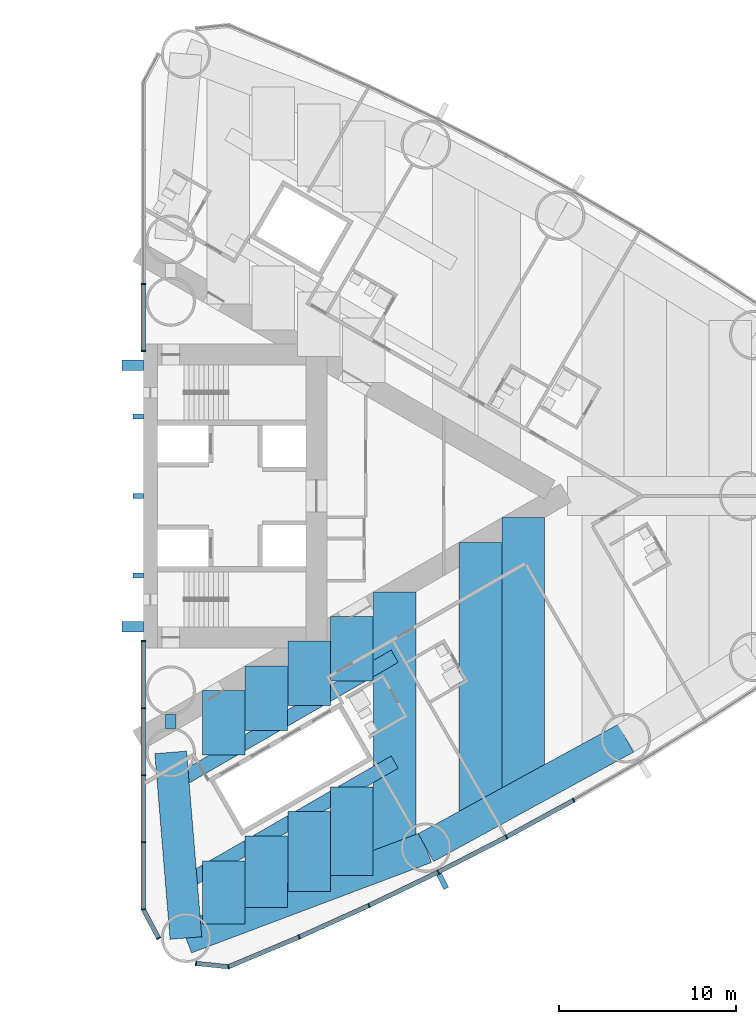
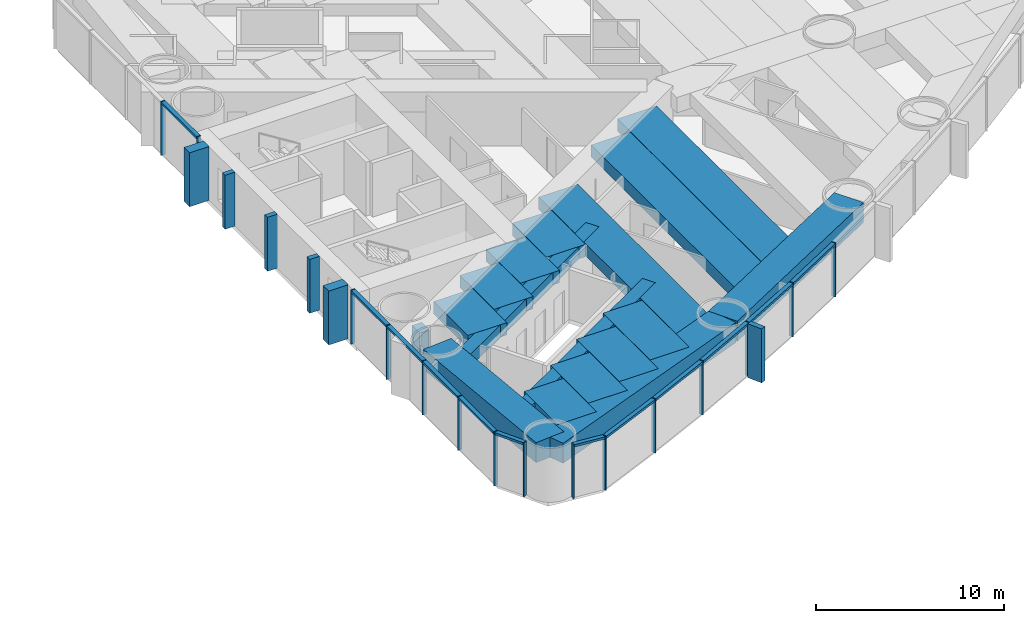
# One storey, part 6 of 18: 33 members, 17 beams, 3 elements without a shape of their own.
"""IFC4 building model written with IfcOpenShell, lengths in metres."""

from ifc_helpers import new_model, si_unit, direction, frame, origin, origin_2d, place, context, subcontext, project, spatial, rectangle, hollow_rectangle, extrude, material, material_profile, profile_set, type_object, element, aggregate, save


model = new_model("IFC4")

# Units and contexts
model_context = context("Model", 3, precision=1e-05, world=origin(), true_north=direction((0.0, 1.0)))
body_context = subcontext(model_context, "Body", "Model", "MODEL_VIEW")
ifc_project = project(units=[si_unit("LENGTHUNIT", "METRE"), si_unit("AREAUNIT", "SQUARE_METRE"), si_unit("VOLUMEUNIT", "CUBIC_METRE"), si_unit("PLANEANGLEUNIT", "RADIAN"), si_unit("MASSUNIT", "GRAM", prefix="KILO")], contexts=[model_context])

# Site, building, storey
site_placement = place(None, origin())
site = spatial("IfcSite", under=ifc_project, at=site_placement, CompositionType="ELEMENT")
building_placement = place(site_placement, origin())
building = spatial("IfcBuilding", under=site, at=building_placement, Name="Lancet Gate Hotel", CompositionType="ELEMENT")
storey_placement = place(building_placement, frame((0.0, 0.0, 56.5)))
storey = spatial("IfcBuildingStorey", under=building, at=storey_placement, Name="L14", CompositionType="ELEMENT", Elevation=56.5)

# Curtain wall, members
ifc_material_1 = material(Name="Aluminium curtain wall", Category="aluminium")
curtain_wall_type = type_object("IfcCurtainWallType", Name="Tower unitised curtain wall", PredefinedType="USERDEFINED", material=ifc_material_1)
curtain_wall_1_placement = place(storey_placement, origin())
curtain_wall_1 = element("IfcCurtainWall", 1, at=curtain_wall_1_placement, inside=storey, type_object=curtain_wall_type, Name="T2 L14 curtain wall 1", ObjectType="UNITISED CURTAIN WALL", PredefinedType="USERDEFINED")
ifc_material_2 = material(Name="Aluminium mullion", Category="aluminium")
ifc_material_profile_1 = material_profile(ifc_material_2, rectangle(XDim=0.06494140625, YDim=0.25, at=origin_2d()), Name="MULLION 65x250")
ifc_profile_set_1 = profile_set([ifc_material_profile_1], Name="Aluminium mullion")
member_type_1 = type_object("IfcMemberType", Name="Aluminium mullion 65x250", PredefinedType="MULLION", material=ifc_profile_set_1)
member_1_placement = place(storey_placement, frame((27.5, -8.199951171875, 0.0), z_axis=(0.0, 0.0, 1.0), x_axis=(0.0, -1.0, 0.0)))
member_1 = element("IfcMember", 2, at=member_1_placement, type_object=member_type_1, Name="T2 L14 curtain wall 1 mullion 1", PredefinedType="MULLION", context=body_context, shape_type="SweptSolid", body=[
    extrude(rectangle(XDim=0.06494140625, YDim=0.25, at=origin_2d()), origin(), (0.0, 0.0, 1.0), 3.5),
])
member_2_placement = place(storey_placement, frame((27.5, -11.99609375, 0.0), z_axis=(0.0, 0.0, 1.0), x_axis=(0.0, -1.0, 0.0)))
member_2 = element("IfcMember", 3, at=member_2_placement, type_object=member_type_1, Name="T2 L14 curtain wall 1 mullion 2", PredefinedType="MULLION", context=body_context, shape_type="SweptSolid", body=[
    extrude(rectangle(XDim=0.06494140625, YDim=0.25, at=origin_2d()), origin(), (0.0, 0.0, 1.0), 3.5),
])
member_3_placement = place(storey_placement, frame((27.5, -15.79248046875, 0.0), z_axis=(0.0, 0.0, 1.0), x_axis=(0.0, -1.0, 0.0)))
member_3 = element("IfcMember", 4, at=member_3_placement, type_object=member_type_1, Name="T2 L14 curtain wall 1 mullion 3", PredefinedType="MULLION", context=body_context, shape_type="SweptSolid", body=[
    extrude(rectangle(XDim=0.06494140625, YDim=0.25, at=origin_2d()), origin(), (0.0, 0.0, 1.0), 3.5),
])
member_4_placement = place(storey_placement, frame((27.5, -19.588623046875, 0.0), z_axis=(0.0, 0.0, 1.0), x_axis=(0.0, -1.0, 0.0)))
member_4 = element("IfcMember", 5, at=member_4_placement, type_object=member_type_1, Name="T2 L14 curtain wall 1 mullion 4", PredefinedType="MULLION", context=body_context, shape_type="SweptSolid", body=[
    extrude(rectangle(XDim=0.06494140625, YDim=0.25, at=origin_2d()), origin(), (0.0, 0.0, 1.0), 3.5),
])
member_5_placement = place(storey_placement, frame((27.5, -23.384765625, 0.0), z_axis=(0.0, 0.0, 1.0), x_axis=(0.157751691459, -0.987478811844, 0.0)))
member_5 = element("IfcMember", 6, at=member_5_placement, type_object=member_type_1, Name="T2 L14 curtain wall 1 mullion 5", PredefinedType="MULLION", context=body_context, shape_type="SweptSolid", body=[
    extrude(rectangle(XDim=0.06494140625, YDim=0.25, at=origin_2d()), origin(), (0.0, 0.0, 1.0), 3.5),
])
member_6_placement = place(storey_placement, frame((28.366455078125, -25.012451171875, 0.0), z_axis=(0.0, 0.0, 1.0), x_axis=(0.469897827284, -0.882720811987, 0.0)))
member_6 = element("IfcMember", 7, at=member_6_placement, type_object=member_type_1, Name="T2 L14 curtain wall 1 mullion 6", PredefinedType="MULLION", context=body_context, shape_type="SweptSolid", body=[
    extrude(rectangle(XDim=0.06494140625, YDim=0.25, at=origin_2d()), origin(), (0.0, 0.0, 1.0), 3.5),
])

curtain_wall_2_placement = place(storey_placement, origin())
curtain_wall_2 = element("IfcCurtainWall", 8, at=curtain_wall_2_placement, inside=storey, type_object=curtain_wall_type, Name="T2 L14 curtain wall 2", ObjectType="UNITISED CURTAIN WALL", PredefinedType="USERDEFINED")
member_7_placement = place(storey_placement, frame((30.48388671875, -26.4375, 0.0), z_axis=(0.0, 0.0, 1.0), x_axis=(0.994672262412, -0.10308778001, 0.0)))
member_7 = element("IfcMember", 9, at=member_7_placement, type_object=member_type_1, Name="T2 L14 curtain wall 2 mullion 1", PredefinedType="MULLION", context=body_context, shape_type="SweptSolid", body=[
    extrude(rectangle(XDim=0.06494140625, YDim=0.25, at=origin_2d()), origin(), (0.0, 0.0, 1.0), 3.5),
])
member_8_placement = place(storey_placement, frame((32.3173828125, -26.62744140625, 0.0), z_axis=(0.0, 0.0, 1.0), x_axis=(0.968721492963, 0.248150496819, 0.0)))
member_8 = element("IfcMember", 10, at=member_8_placement, type_object=member_type_1, Name="T2 L14 curtain wall 2 mullion 2", PredefinedType="MULLION", context=body_context, shape_type="SweptSolid", body=[
    extrude(rectangle(XDim=0.06494140625, YDim=0.25, at=origin_2d()), origin(), (0.0, 0.0, 1.0), 3.5),
])
member_9_placement = place(storey_placement, frame((36.31494140625, -24.943603515625, 0.0), z_axis=(0.0, 0.0, 1.0), x_axis=(0.916578705089, 0.399854320193, 0.0)))
member_9 = element("IfcMember", 11, at=member_9_placement, type_object=member_type_1, Name="T2 L14 curtain wall 2 mullion 3", PredefinedType="MULLION", context=body_context, shape_type="SweptSolid", body=[
    extrude(rectangle(XDim=0.06494140625, YDim=0.25, at=origin_2d()), origin(), (0.0, 0.0, 1.0), 3.5),
])
member_10_placement = place(storey_placement, frame((40.2685546875, -23.15869140625, 0.0), z_axis=(0.0, 0.0, 1.0), x_axis=(0.906104948671, 0.423052977762, 0.0)))
member_10 = element("IfcMember", 12, at=member_10_placement, type_object=member_type_1, Name="T2 L14 curtain wall 2 mullion 4", PredefinedType="MULLION", context=body_context, shape_type="SweptSolid", body=[
    extrude(rectangle(XDim=0.06494140625, YDim=0.25, at=origin_2d()), origin(), (0.0, 0.0, 1.0), 3.5),
])
member_11_placement = place(storey_placement, frame((44.17529296875, -21.273681640625, 0.0), z_axis=(0.0, 0.0, 1.0), x_axis=(0.895044147438, 0.445977548917, 0.0)))
member_11 = element("IfcMember", 13, at=member_11_placement, type_object=member_type_1, Name="T2 L14 curtain wall 2 mullion 5", PredefinedType="MULLION", context=body_context, shape_type="SweptSolid", body=[
    extrude(rectangle(XDim=0.06494140625, YDim=0.25, at=origin_2d()), origin(), (0.0, 0.0, 1.0), 3.5),
])
member_12_placement = place(storey_placement, frame((48.03271484375, -19.2900390625, 0.0), z_axis=(0.0, 0.0, 1.0), x_axis=(0.88340346743, 0.468613181347, 0.0)))
member_12 = element("IfcMember", 14, at=member_12_placement, type_object=member_type_1, Name="T2 L14 curtain wall 2 mullion 6", PredefinedType="MULLION", context=body_context, shape_type="SweptSolid", body=[
    extrude(rectangle(XDim=0.06494140625, YDim=0.25, at=origin_2d()), origin(), (0.0, 0.0, 1.0), 3.5),
])
member_13_placement = place(storey_placement, frame((51.838623046875, -17.208740234375, 0.0), z_axis=(0.0, 0.0, 1.0), x_axis=(0.871190450382, 0.490945209941, 0.0)))
member_13 = element("IfcMember", 15, at=member_13_placement, type_object=member_type_1, Name="T2 L14 curtain wall 2 mullion 7", PredefinedType="MULLION", context=body_context, shape_type="SweptSolid", body=[
    extrude(rectangle(XDim=0.06494140625, YDim=0.25, at=origin_2d()), origin(), (0.0, 0.0, 1.0), 3.5),
])

curtain_wall_3_placement = place(storey_placement, origin())
curtain_wall_3 = element("IfcCurtainWall", 16, at=curtain_wall_3_placement, inside=storey, type_object=curtain_wall_type, Name="T2 L14 curtain wall 4", ObjectType="UNITISED CURTAIN WALL", PredefinedType="USERDEFINED")
member_14_placement = place(storey_placement, frame((27.5, 11.99609375, 0.0), z_axis=(0.0, 0.0, 1.0), x_axis=(0.0, -1.0, 0.0)))
member_14 = element("IfcMember", 17, at=member_14_placement, type_object=member_type_1, Name="T2 L14 curtain wall 4 mullion 5", PredefinedType="MULLION", context=body_context, shape_type="SweptSolid", body=[
    extrude(rectangle(XDim=0.06494140625, YDim=0.25, at=origin_2d()), origin(), (0.0, 0.0, 1.0), 3.5),
])
member_15_placement = place(storey_placement, frame((27.5, 8.199951171875, 0.0), z_axis=(0.0, 0.0, 1.0), x_axis=(0.0, -1.0, 0.0)))
member_15 = element("IfcMember", 18, at=member_15_placement, type_object=member_type_1, Name="T2 L14 curtain wall 4 mullion 6", PredefinedType="MULLION", context=body_context, shape_type="SweptSolid", body=[
    extrude(rectangle(XDim=0.06494140625, YDim=0.25, at=origin_2d()), origin(), (0.0, 0.0, 1.0), 3.5),
])

# Member
ifc_material_3 = material(Name="Aluminium transom", Category="aluminium")
ifc_material_profile_2 = material_profile(ifc_material_3, rectangle(XDim=0.25, YDim=0.14990234375, at=origin_2d()), Name="TRANSOM 250x150")
ifc_profile_set_2 = profile_set([ifc_material_profile_2], Name="Aluminium transom")
member_type_2 = type_object("IfcMemberType", Name="Aluminium transom 250x150", PredefinedType="USERDEFINED", material=ifc_profile_set_2)
member_16_placement = place(storey_placement, frame((27.5, -8.232421875, 3.425048828125), z_axis=(0.0, -1.0, 0.0), x_axis=(1.0, 0.0, 0.0)))
member_16 = element("IfcMember", 19, at=member_16_placement, type_object=member_type_2, Name="T2 L14 curtain wall 1 transom 1", ObjectType="TRANSOM", PredefinedType="USERDEFINED", context=body_context, shape_type="SweptSolid", body=[
    extrude(rectangle(XDim=0.25, YDim=0.14990234375, at=origin_2d()), origin(), (0.0, 0.0, 1.0), 3.731201171875),
])

member_17_placement = place(storey_placement, frame((27.5, -12.02880859375, 3.425048828125), z_axis=(0.0, -1.0, 0.0), x_axis=(1.0, 0.0, 0.0)))
member_17 = element("IfcMember", 20, at=member_17_placement, type_object=member_type_2, Name="T2 L14 curtain wall 1 transom 2", ObjectType="TRANSOM", PredefinedType="USERDEFINED", context=body_context, shape_type="SweptSolid", body=[
    extrude(rectangle(XDim=0.25, YDim=0.14990234375, at=origin_2d()), origin(), (0.0, 0.0, 1.0), 3.731201171875),
])

member_18_placement = place(storey_placement, frame((27.5, -15.824951171875, 3.425048828125), z_axis=(0.0, -1.0, 0.0), x_axis=(1.0, 0.0, 0.0)))
member_18 = element("IfcMember", 21, at=member_18_placement, type_object=member_type_2, Name="T2 L14 curtain wall 1 transom 3", ObjectType="TRANSOM", PredefinedType="USERDEFINED", context=body_context, shape_type="SweptSolid", body=[
    extrude(rectangle(XDim=0.25, YDim=0.14990234375, at=origin_2d()), origin(), (0.0, 0.0, 1.0), 3.731201171875),
])

member_19_placement = place(storey_placement, frame((27.5, -19.62109375, 3.425048828125), z_axis=(0.0, -1.0, 0.0), x_axis=(1.0, 0.0, 0.0)))
member_19 = element("IfcMember", 22, at=member_19_placement, type_object=member_type_2, Name="T2 L14 curtain wall 1 transom 4", ObjectType="TRANSOM", PredefinedType="USERDEFINED", context=body_context, shape_type="SweptSolid", body=[
    extrude(rectangle(XDim=0.25, YDim=0.14990234375, at=origin_2d()), origin(), (0.0, 0.0, 1.0), 3.731201171875),
])

member_20_placement = place(storey_placement, frame((27.515380859375, -23.41357421875, 3.425048828125), z_axis=(0.469904276347, -0.882717378933, 0.0), x_axis=(0.882717378933, 0.469904276347, 0.0)))
member_20 = element("IfcMember", 23, at=member_20_placement, type_object=member_type_2, Name="T2 L14 curtain wall 1 transom 5", ObjectType="TRANSOM", PredefinedType="USERDEFINED", context=body_context, shape_type="SweptSolid", body=[
    extrude(rectangle(XDim=0.25, YDim=0.14990234375, at=origin_2d()), origin(), (0.0, 0.0, 1.0), 1.779052734375),
])

aggregate(curtain_wall_1, [member_1, member_2, member_3, member_4, member_5, member_6, member_16, member_17, member_18, member_19, member_20])

member_21_placement = place(storey_placement, frame((30.516357421875, -26.440673828125, 3.425048828125), z_axis=(0.994670452051, -0.103105246306, 0.0), x_axis=(0.103105246306, 0.994670452051, 0.0)))
member_21 = element("IfcMember", 24, at=member_21_placement, type_object=member_type_2, Name="T2 L14 curtain wall 2 transom 1", ObjectType="TRANSOM", PredefinedType="USERDEFINED", context=body_context, shape_type="SweptSolid", body=[
    extrude(rectangle(XDim=0.25, YDim=0.14990234375, at=origin_2d()), origin(), (0.0, 0.0, 1.0), 1.7783203125),
])

member_22_placement = place(storey_placement, frame((32.347412109375, -26.61474609375, 3.425048828125), z_axis=(0.92159772617, 0.388146404233, 0.0), x_axis=(-0.388146404233, 0.92159772617, 0.0)))
member_22 = element("IfcMember", 25, at=member_22_placement, type_object=member_type_2, Name="T2 L14 curtain wall 2 transom 2", ObjectType="TRANSOM", PredefinedType="USERDEFINED", context=body_context, shape_type="SweptSolid", body=[
    extrude(rectangle(XDim=0.25, YDim=0.14990234375, at=origin_2d()), origin(), (0.0, 0.0, 1.0), 4.272705078125),
])

member_23_placement = place(storey_placement, frame((36.3447265625, -24.930419921875, 3.425048828125), z_axis=(0.911396871737, 0.411528543589, 0.0), x_axis=(-0.411528543589, 0.911396871737, 0.0)))
member_23 = element("IfcMember", 26, at=member_23_placement, type_object=member_type_2, Name="T2 L14 curtain wall 2 transom 3", ObjectType="TRANSOM", PredefinedType="USERDEFINED", context=body_context, shape_type="SweptSolid", body=[
    extrude(rectangle(XDim=0.25, YDim=0.14990234375, at=origin_2d()), origin(), (0.0, 0.0, 1.0), 4.272705078125),
])

member_24_placement = place(storey_placement, frame((40.2978515625, -23.14453125, 3.425048828125), z_axis=(0.900646499888, 0.434552508035, 0.0), x_axis=(-0.434552508035, 0.900646499888, 0.0)))
member_24 = element("IfcMember", 27, at=member_24_placement, type_object=member_type_2, Name="T2 L14 curtain wall 2 transom 4", ObjectType="TRANSOM", PredefinedType="USERDEFINED", context=body_context, shape_type="SweptSolid", body=[
    extrude(rectangle(XDim=0.25, YDim=0.14990234375, at=origin_2d()), origin(), (0.0, 0.0, 1.0), 4.272705078125),
])

member_25_placement = place(storey_placement, frame((44.2041015625, -21.259033203125, 3.425048828125), z_axis=(0.88929576978, 0.457332520002, 0.0), x_axis=(-0.457332520002, 0.88929576978, 0.0)))
member_25 = element("IfcMember", 28, at=member_25_placement, type_object=member_type_2, Name="T2 L14 curtain wall 2 transom 5", ObjectType="TRANSOM", PredefinedType="USERDEFINED", context=body_context, shape_type="SweptSolid", body=[
    extrude(rectangle(XDim=0.25, YDim=0.14990234375, at=origin_2d()), origin(), (0.0, 0.0, 1.0), 4.272705078125),
])

member_26_placement = place(storey_placement, frame((48.061279296875, -19.2744140625, 3.425048828125), z_axis=(0.877377528879, 0.479800658417, 0.0), x_axis=(-0.479800658417, 0.877377528879, 0.0)))
member_26 = element("IfcMember", 29, at=member_26_placement, type_object=member_type_2, Name="T2 L14 curtain wall 2 transom 6", ObjectType="TRANSOM", PredefinedType="USERDEFINED", context=body_context, shape_type="SweptSolid", body=[
    extrude(rectangle(XDim=0.25, YDim=0.14990234375, at=origin_2d()), origin(), (0.0, 0.0, 1.0), 4.272705078125),
])

member_27_placement = place(storey_placement, frame((27.5, 11.963623046875, 3.425048828125), z_axis=(0.0, -1.0, 0.0), x_axis=(1.0, 0.0, 0.0)))
member_27 = element("IfcMember", 30, at=member_27_placement, type_object=member_type_2, Name="T2 L14 curtain wall 4 transom 5", ObjectType="TRANSOM", PredefinedType="USERDEFINED", context=body_context, shape_type="SweptSolid", body=[
    extrude(rectangle(XDim=0.25, YDim=0.14990234375, at=origin_2d()), origin(), (0.0, 0.0, 1.0), 3.731201171875),
])

aggregate(curtain_wall_3, [member_14, member_15, member_27])

# Beams
ifc_material_4 = material(Name="Concrete C50/60", Category="concrete")
ifc_material_profile_3 = material_profile(ifc_material_4, rectangle(XDim=1.800048828125, YDim=1.300048828125, at=origin_2d()), Name="RC 1800x1300")
ifc_profile_set_3 = profile_set([ifc_material_profile_3], Name="Concrete C50/60")
beam_type_1 = type_object("IfcBeamType", Name="Edge beam RC 1800x1300", PredefinedType="SPANDREL", material=ifc_profile_set_3)
beam_1_placement = place(storey_placement, frame((29.9111328125, -25.00244140625, 2.60009765625), z_axis=(0.935736448066, 0.352700013836, 0.0), x_axis=(-0.352700013836, 0.935736448066, 0.0)))
element("IfcBeam", 31, at=beam_1_placement, inside=storey, type_object=beam_type_1, Name="T2 edge beam EB1 L14", PredefinedType="SPANDREL", context=body_context, shape_type="SweptSolid", body=[
    extrude(rectangle(XDim=1.800048828125, YDim=1.300048828125, at=origin_2d()), origin(), (0.0, 0.0, 1.0), 14.505126953125),
])
beam_2_placement = place(storey_placement, frame((43.484130859375, -19.886474609375, 2.60009765625), z_axis=(0.87736889738, 0.479816441893, 0.0), x_axis=(-0.479816441893, 0.87736889738, 0.0)))
element("IfcBeam", 32, at=beam_2_placement, inside=storey, type_object=beam_type_1, Name="T2 edge beam EB1 L14", PredefinedType="SPANDREL", context=body_context, shape_type="SweptSolid", body=[
    extrude(rectangle(XDim=1.800048828125, YDim=1.300048828125, at=origin_2d()), origin(), (0.0, 0.0, 1.0), 12.89208984375),
])
beam_3_placement = place(storey_placement, frame((29.9111328125, -25.00244140625, 2.60009765625), z_axis=(-0.081714744052, 0.996655758326, 0.0), x_axis=(-0.996655758326, -0.081714744052, 0.0)))
element("IfcBeam", 33, at=beam_3_placement, inside=storey, type_object=beam_type_1, Name="T2 edge beam EB1 L14", PredefinedType="SPANDREL", context=body_context, shape_type="SweptSolid", body=[
    extrude(rectangle(XDim=1.800048828125, YDim=1.300048828125, at=origin_2d()), origin(), (0.0, 0.0, 1.0), 10.53759765625),
])

# Members
ifc_material_5 = material(Name="Concrete C60/75", Category="concrete")
ifc_material_profile_4 = material_profile(ifc_material_5, rectangle(XDim=0.60009765625, YDim=1.199951171875, at=origin_2d()), Name="FIN 600x1200")
ifc_profile_set_4 = profile_set([ifc_material_profile_4], Name="Concrete C60/75")
member_type_3 = type_object("IfcMemberType", Name="Exposed concrete buttress pilaster 600x1200", PredefinedType="USERDEFINED", material=ifc_profile_set_4)
for number, where, z_axis, x_axis, name in (
    (34, (26.909912109375, -7.39990234375, 0.0), (0.0, 0.0, 1.0), (0.0, 1.0, 0.0), "T2 buttress pilaster S L14"),
    (35, (26.909912109375, 7.39990234375, 0.0), (0.0, 0.0, 1.0), (0.0, 1.0, 0.0), "T2 buttress pilaster N L14"),
):
    element("IfcMember", number, at=place(storey_placement, frame(where, z_axis=z_axis, x_axis=x_axis)), inside=storey, type_object=member_type_3, Name=name, ObjectType="FIN", PredefinedType="USERDEFINED", context=body_context, shape_type="SweptSolid", body=[
        extrude(rectangle(XDim=0.60009765625, YDim=1.199951171875, at=origin_2d()), origin(), (0.0, 0.0, 1.0), 3.5),
    ])

# Member
ifc_material_6 = material(Name="Precast concrete C50/60", Category="concrete")
ifc_material_profile_5 = material_profile(ifc_material_6, rectangle(XDim=0.300048828125, YDim=0.89990234375, at=origin_2d()), Name="FIN 300x900")
ifc_profile_set_5 = profile_set([ifc_material_profile_5], Name="Precast concrete C50/60")
member_type_4 = type_object("IfcMemberType", Name="Exposed concrete fin 300x900", PredefinedType="USERDEFINED", material=ifc_profile_set_5)
member_28_placement = place(storey_placement, frame((44.431640625, -21.788330078125, 0.0), z_axis=(0.0, 0.0, 1.0), x_axis=(0.895044147438, 0.445977548917, 0.0)))
member_28 = element("IfcMember", 36, at=member_28_placement, type_object=member_type_4, Name="T2 L14 curtain wall 2 fin 5", ObjectType="FIN", PredefinedType="USERDEFINED", context=body_context, shape_type="SweptSolid", body=[
    extrude(rectangle(XDim=0.300048828125, YDim=0.89990234375, at=origin_2d()), origin(), (0.0, 0.0, 1.0), 3.5),
])

aggregate(curtain_wall_2, [member_7, member_8, member_9, member_10, member_11, member_28, member_12, member_13, member_21, member_22, member_23, member_24, member_25, member_26])

# Members
ifc_material_7 = material(Name="Concrete C60/75", Category="concrete")
ifc_material_profile_6 = material_profile(ifc_material_7, rectangle(XDim=0.300048828125, YDim=0.60009765625, at=origin_2d()), Name="FIN 300x600")
ifc_profile_set_6 = profile_set([ifc_material_profile_6], Name="Concrete C60/75")
member_type_5 = type_object("IfcMemberType", Name="Exposed concrete rib 300x600", PredefinedType="USERDEFINED", material=ifc_profile_set_6)
for number, where, z_axis, x_axis, name in (
    (37, (27.2099609375, -4.5, 0.0), (0.0, 0.0, 1.0), (0.0, 1.0, 0.0), "T2 core rib 1 L14"),
    (38, (27.2099609375, 0.0, 0.0), (0.0, 0.0, 1.0), (0.0, 1.0, 0.0), "T2 core rib 2 L14"),
    (39, (27.2099609375, 4.5, 0.0), (0.0, 0.0, 1.0), (0.0, 1.0, 0.0), "T2 core rib 3 L14"),
):
    element("IfcMember", number, at=place(storey_placement, frame(where, z_axis=z_axis, x_axis=x_axis)), inside=storey, type_object=member_type_5, Name=name, ObjectType="FIN", PredefinedType="USERDEFINED", context=body_context, shape_type="SweptSolid", body=[
        extrude(rectangle(XDim=0.300048828125, YDim=0.60009765625, at=origin_2d()), origin(), (0.0, 0.0, 1.0), 3.5),
    ])

# Beams
ifc_material_8 = material(Name="Concrete C50/60", Category="concrete")
ifc_material_profile_7 = material_profile(ifc_material_8, rectangle(XDim=2.39990234375, YDim=0.800048828125, at=origin_2d()), Name="RC 2400x800")
ifc_profile_set_7 = profile_set([ifc_material_profile_7], Name="Concrete C50/60")
beam_type_2 = type_object("IfcBeamType", Name="Floor beam RC 2400x800", PredefinedType="BEAM", material=ifc_profile_set_7)
beam_4_placement = place(storey_placement, frame((41.721435546875, -20.55078125, 2.85009765625), z_axis=(0.0, 1.0, 0.0), x_axis=(-1.0, 0.0, 0.0)))
element("IfcBeam", 40, at=beam_4_placement, inside=storey, type_object=beam_type_2, Name="T2 floor beam F11S L14", PredefinedType="BEAM", context=body_context, shape_type="SweptSolid", body=[
    extrude(rectangle(XDim=2.39990234375, YDim=0.800048828125, at=origin_2d()), origin(), (0.0, 0.0, 1.0), 15.134765625),
])
beam_5_placement = place(storey_placement, frame((46.561767578125, -18.203369140625, 2.85009765625), z_axis=(0.0, 1.0, 0.0), x_axis=(-1.0, 0.0, 0.0)))
element("IfcBeam", 41, at=beam_5_placement, inside=storey, type_object=beam_type_2, Name="T2 floor beam F13S L14", PredefinedType="BEAM", context=body_context, shape_type="SweptSolid", body=[
    extrude(rectangle(XDim=2.39990234375, YDim=0.800048828125, at=origin_2d()), origin(), (0.0, 0.0, 1.0), 15.58203125),
])
beam_6_placement = place(storey_placement, frame((48.98193359375, -16.879638671875, 2.85009765625), z_axis=(0.0, 1.0, 0.0), x_axis=(-1.0, 0.0, 0.0)))
element("IfcBeam", 42, at=beam_6_placement, inside=storey, type_object=beam_type_2, Name="T2 floor beam F15S L14", PredefinedType="BEAM", context=body_context, shape_type="SweptSolid", body=[
    extrude(rectangle(XDim=2.39990234375, YDim=0.800048828125, at=origin_2d()), origin(), (0.0, 0.0, 1.0), 15.655517578125),
])
beam_7_placement = place(storey_placement, frame((32.04052734375, -24.199951171875, 2.85009765625), z_axis=(0.0, 1.0, 0.0), x_axis=(-1.0, 0.0, 0.0)))
element("IfcBeam", 43, at=beam_7_placement, inside=storey, type_object=beam_type_2, Name="T2 floor beam F03SA L14", PredefinedType="BEAM", context=body_context, shape_type="SweptSolid", body=[
    extrude(rectangle(XDim=2.39990234375, YDim=0.800048828125, at=origin_2d()), origin(), (0.0, 0.0, 1.0), 3.5615234375),
])
beam_8_placement = place(storey_placement, frame((32.04052734375, -14.65087890625, 2.85009765625), z_axis=(0.0, 1.0, 0.0), x_axis=(-1.0, 0.0, 0.0)))
element("IfcBeam", 44, at=beam_8_placement, inside=storey, type_object=beam_type_2, Name="T2 floor beam F03SB L14", PredefinedType="BEAM", context=body_context, shape_type="SweptSolid", body=[
    extrude(rectangle(XDim=2.39990234375, YDim=0.800048828125, at=origin_2d()), origin(), (0.0, 0.0, 1.0), 3.6455078125),
])
beam_9_placement = place(storey_placement, frame((34.460693359375, -23.28759765625, 2.85009765625), z_axis=(0.0, 1.0, 0.0), x_axis=(-1.0, 0.0, 0.0)))
element("IfcBeam", 45, at=beam_9_placement, inside=storey, type_object=beam_type_2, Name="T2 floor beam F05SA L14", PredefinedType="BEAM", context=body_context, shape_type="SweptSolid", body=[
    extrude(rectangle(XDim=2.39990234375, YDim=0.800048828125, at=origin_2d()), origin(), (0.0, 0.0, 1.0), 4.04638671875),
])
beam_10_placement = place(storey_placement, frame((34.460693359375, -13.253662109375, 2.85009765625), z_axis=(0.0, 1.0, 0.0), x_axis=(-1.0, 0.0, 0.0)))
element("IfcBeam", 46, at=beam_10_placement, inside=storey, type_object=beam_type_2, Name="T2 floor beam F05SB L14", PredefinedType="BEAM", context=body_context, shape_type="SweptSolid", body=[
    extrude(rectangle(XDim=2.39990234375, YDim=0.800048828125, at=origin_2d()), origin(), (0.0, 0.0, 1.0), 3.645751953125),
])
beam_11_placement = place(storey_placement, frame((36.880859375, -22.37548828125, 2.85009765625), z_axis=(0.0, 1.0, 0.0), x_axis=(-1.0, 0.0, 0.0)))
element("IfcBeam", 47, at=beam_11_placement, inside=storey, type_object=beam_type_2, Name="T2 floor beam F07SA L14", PredefinedType="BEAM", context=body_context, shape_type="SweptSolid", body=[
    extrude(rectangle(XDim=2.39990234375, YDim=0.800048828125, at=origin_2d()), origin(), (0.0, 0.0, 1.0), 4.53173828125),
])
beam_12_placement = place(storey_placement, frame((36.880859375, -11.8564453125, 2.85009765625), z_axis=(0.0, 1.0, 0.0), x_axis=(-1.0, 0.0, 0.0)))
element("IfcBeam", 48, at=beam_12_placement, inside=storey, type_object=beam_type_2, Name="T2 floor beam F07SB L14", PredefinedType="BEAM", context=body_context, shape_type="SweptSolid", body=[
    extrude(rectangle(XDim=2.39990234375, YDim=0.800048828125, at=origin_2d()), origin(), (0.0, 0.0, 1.0), 3.645751953125),
])
beam_13_placement = place(storey_placement, frame((39.301025390625, -21.463134765625, 2.85009765625), z_axis=(0.0, 1.0, 0.0), x_axis=(-1.0, 0.0, 0.0)))
element("IfcBeam", 49, at=beam_13_placement, inside=storey, type_object=beam_type_2, Name="T2 floor beam F09SA L14", PredefinedType="BEAM", context=body_context, shape_type="SweptSolid", body=[
    extrude(rectangle(XDim=2.39990234375, YDim=0.800048828125, at=origin_2d()), origin(), (0.0, 0.0, 1.0), 5.0166015625),
])
beam_14_placement = place(storey_placement, frame((39.301025390625, -10.458984375, 2.85009765625), z_axis=(0.0, 1.0, 0.0), x_axis=(-1.0, 0.0, 0.0)))
element("IfcBeam", 50, at=beam_14_placement, inside=storey, type_object=beam_type_2, Name="T2 floor beam F09SB L14", PredefinedType="BEAM", context=body_context, shape_type="SweptSolid", body=[
    extrude(rectangle(XDim=2.39990234375, YDim=0.800048828125, at=origin_2d()), origin(), (0.0, 0.0, 1.0), 3.6455078125),
])
ifc_material_9 = material(Name="Steel S460QL", Category="steel")
ifc_material_profile_8 = material_profile(ifc_material_9, hollow_rectangle(XDim=0.60009765625, YDim=1.5, WallThickness=0.050048828125, at=origin_2d()), Name="BOX 1500x600x50")
ifc_profile_set_8 = profile_set([ifc_material_profile_8], Name="Steel S460QL")
beam_type_3 = type_object("IfcBeamType", Name="Inner-face link beam BOX 1500x600x50", PredefinedType="BEAM", material=ifc_profile_set_8)
beam_15_placement = place(storey_placement, frame((29.050048828125, -13.14990234375, 2.5), z_axis=(0.0, 1.0, 0.0), x_axis=(-1.0, 0.0, 0.0)))
element("IfcBeam", 51, at=beam_15_placement, inside=storey, type_object=beam_type_3, Name="T2 inner-face link beam LK1 L14", PredefinedType="BEAM", context=body_context, shape_type="SweptSolid", body=[
    extrude(hollow_rectangle(XDim=0.60009765625, YDim=1.5, WallThickness=0.050048828125, at=origin_2d()), origin(), (0.0, 0.0, 1.0), 0.7998046875),
])
ifc_material_10 = material(Name="Steel S460QL", Category="steel")
ifc_material_profile_9 = material_profile(ifc_material_10, hollow_rectangle(XDim=0.800048828125, YDim=0.800048828125, WallThickness=0.080078125, at=origin_2d()), Name="BOX 800x800x80")
ifc_profile_set_9 = profile_set([ifc_material_profile_9], Name="Steel S460QL")
beam_type_4 = type_object("IfcBeamType", Name="Trimmer beam BOX 800x800x80", PredefinedType="BEAM", material=ifc_profile_set_9)
beam_16_placement = place(storey_placement, frame((29.6201171875, -16.048095703125, 2.85009765625), z_axis=(0.866036909293, 0.499980071345, 0.0), x_axis=(-0.499980071345, 0.866036909293, 0.0)))
element("IfcBeam", 52, at=beam_16_placement, inside=storey, type_object=beam_type_4, Name="T2 trimmer beam TR01S L14", PredefinedType="BEAM", context=body_context, shape_type="SweptSolid", body=[
    extrude(hollow_rectangle(XDim=0.800048828125, YDim=0.800048828125, WallThickness=0.080078125, at=origin_2d()), origin(), (0.0, 0.0, 1.0), 13.97314453125),
])
beam_17_placement = place(storey_placement, frame((29.665771484375, -22.00927734375, 2.85009765625), z_axis=(0.866037222451, 0.499979528911, 0.0), x_axis=(-0.499979528911, 0.866037222451, 0.0)))
element("IfcBeam", 53, at=beam_17_placement, inside=storey, type_object=beam_type_4, Name="T2 trimmer beam TR02S L14", PredefinedType="BEAM", context=body_context, shape_type="SweptSolid", body=[
    extrude(hollow_rectangle(XDim=0.800048828125, YDim=0.800048828125, WallThickness=0.080078125, at=origin_2d()), origin(), (0.0, 0.0, 1.0), 13.92041015625),
])

save(model, "model.ifc")
